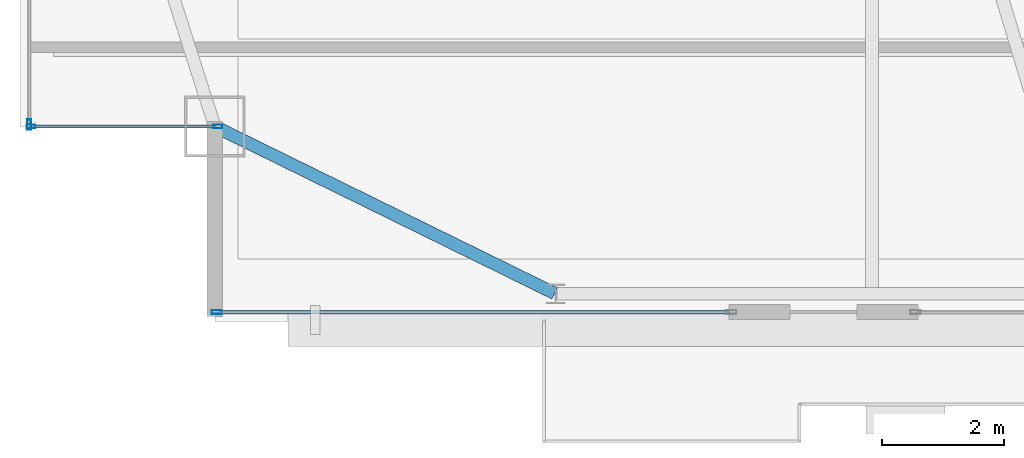
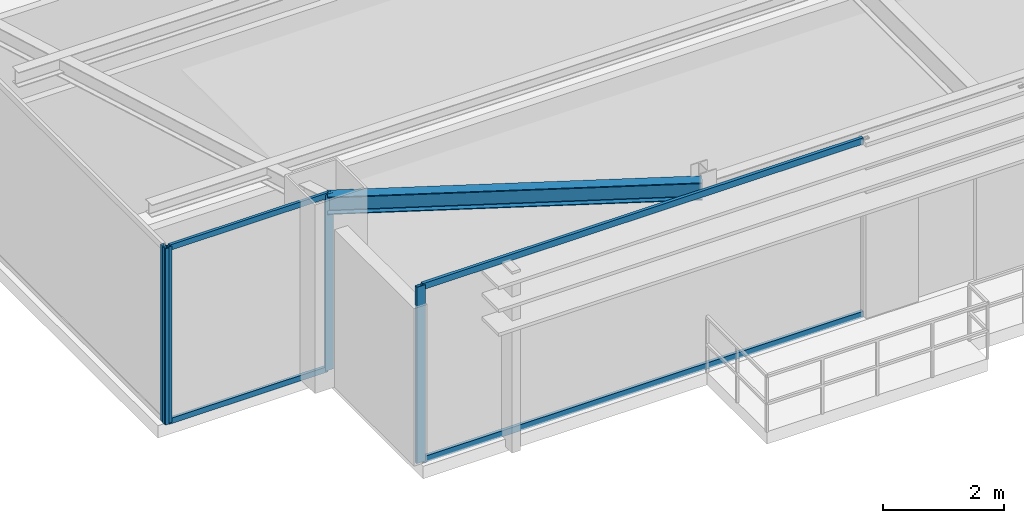
# One storey, part 3 of 25: 8 members, 1 beam, 3 elements without a shape of their own.
"""IFC4 building model written with IfcOpenShell, lengths in metres."""

import ifcopenshell
import ifcopenshell.guid

model = None  # the IFC model being written
_history = None  # IfcOwnerHistory: only IFC2X3 demands one
_inside = {}  # id of a spatial element -> (the spatial element, [elements in it])
_under = {}  # id of a project, library or spatial element -> (it, [spatial elements below it])
_declared = {}  # id of a project -> (the project, [libraries it declares])
_typed = {}  # id of a type object -> (the type object, [elements of that type])
_made_of = {}  # id of a material, layer set ... -> (it, [elements and type objects made of it])


def new_model(schema):
    """Start an empty IFC model of exactly this schema.

    Asked for "IFC4X3", IfcOpenShell would pick the latest addendum, in which some entities
    have other attributes; the version numbers below select the first issue.
    IFC2X3 requires an IfcOwnerHistory on every rooted entity: one is made here for all.
    """
    global model, _history
    if schema == "IFC4X3":
        model = ifcopenshell.file(schema_version=(4, 3, 0, 0))
    else:
        model = ifcopenshell.file(schema=schema)
    _inside.clear()
    _under.clear()
    _declared.clear()
    _typed.clear()
    _made_of.clear()
    _history = None
    if model.schema == "IFC2X3":
        org = make("IfcOrganization", Name="unknown")
        user = make(
            "IfcPersonAndOrganization",
            ThePerson=make("IfcPerson", FamilyName="unknown"),
            TheOrganization=org,
        )
        app = make(
            "IfcApplication",
            ApplicationDeveloper=org,
            Version="unknown",
            ApplicationFullName="unknown",
            ApplicationIdentifier="unknown",
        )
        _history = make(
            "IfcOwnerHistory",
            OwningUser=user,
            OwningApplication=app,
            ChangeAction="ADDED",
            CreationDate=0,
        )
    return model


def make(cls, **values):
    """One entity of the class cls with the attributes given. An attribute that is None is left unset."""
    return model.create_entity(
        cls, **{name: value for name, value in values.items() if value is not None}
    )


def rooted(cls, **values):
    """An entity with a GlobalId (a new one), such as an element, a storey or a relation."""
    return make(cls, GlobalId=ifcopenshell.guid.new(), OwnerHistory=_history, **values)


def si_unit(unit_type, name, prefix=None):
    """IfcSIUnit, for example si_unit("LENGTHUNIT", "METRE", prefix="MILLI")."""
    return make("IfcSIUnit", UnitType=unit_type, Prefix=prefix, Name=name)


def assignment(units):
    """IfcUnitAssignment: the units of a project."""
    return None if units is None else make("IfcUnitAssignment", Units=units)


def point(xyz):
    """IfcCartesianPoint."""
    return None if xyz is None else make("IfcCartesianPoint", Coordinates=xyz)


def direction(xyz):
    """IfcDirection."""
    return None if xyz is None else make("IfcDirection", DirectionRatios=xyz)


def frame(location, z_axis=None, x_axis=None):
    """IfcAxis2Placement3D, a coordinate frame: its origin and axes. An axis left out is left unset."""
    return make(
        "IfcAxis2Placement3D",
        Location=point(location),
        Axis=direction(z_axis),
        RefDirection=direction(x_axis),
    )


def frame_2d(location, x_axis=None):
    """IfcAxis2Placement2D, a coordinate frame in the plane: its origin and x axis."""
    return make(
        "IfcAxis2Placement2D", Location=point(location), RefDirection=direction(x_axis)
    )


def origin():
    """The frame at (0, 0, 0) with its axes left unset."""
    return frame((0.0, 0.0, 0.0))


def origin_2d():
    """The frame at (0, 0) in the plane with its x axis left unset."""
    return frame_2d((0.0, 0.0))


def place(relative_to, where):
    """IfcLocalPlacement: puts the frame where relative to a parent placement (None: the world)."""
    return make(
        "IfcLocalPlacement", PlacementRelTo=relative_to, RelativePlacement=where
    )


def context(
    kind, dimensions, precision=None, world=None, true_north=None, identifier=None
):
    """IfcGeometricRepresentationContext, for example the 3D "Model" context."""
    return make(
        "IfcGeometricRepresentationContext",
        ContextIdentifier=identifier,
        ContextType=kind,
        CoordinateSpaceDimension=dimensions,
        Precision=precision,
        WorldCoordinateSystem=world,
        TrueNorth=true_north,
    )


def subcontext(parent, identifier, kind, view, scale=None):
    """IfcGeometricRepresentationSubContext, for example "Body" below "Model"."""
    return make(
        "IfcGeometricRepresentationSubContext",
        ContextIdentifier=identifier,
        ContextType=kind,
        ParentContext=parent,
        TargetScale=scale,
        TargetView=view,
    )


def project(units=None, contexts=None):
    """IfcProject with its units and contexts."""
    return rooted(
        "IfcProject",
        Name="project",
        RepresentationContexts=contexts,
        UnitsInContext=assignment(units),
    )


def spatial(cls, under=None, at=None, **own):
    """A site, building, storey or space (cls), placed at a placement, below another one or the project."""
    s = rooted(cls, ObjectPlacement=at, **own)
    if under is not None:
        _under.setdefault(under.id(), (under, []))[1].append(s)
    return s


def profile(cls, at=None, kind="AREA", **sizes):
    """A parametric profile (cls). Its sizes go by their IFC names, for example OverallWidth=200.0."""
    return make(cls, ProfileType=kind, Position=at, **sizes)


def hollow_rectangle(**sizes):
    """IfcRectangleHollowProfileDef."""
    return profile("IfcRectangleHollowProfileDef", **sizes)


def i_section(**sizes):
    """IfcIShapeProfileDef."""
    return profile("IfcIShapeProfileDef", **sizes)


def extrude(swept, where, along, depth):
    """IfcExtrudedAreaSolid: the profile swept, set in the frame where, extruded along a direction by depth."""
    return make(
        "IfcExtrudedAreaSolid",
        SweptArea=swept,
        Position=where,
        ExtrudedDirection=direction(along),
        Depth=depth,
    )


def shape(context_of_items, identifier, shape_type, items):
    """IfcShapeRepresentation: the items that make up one representation, for example the "Body"."""
    return make(
        "IfcShapeRepresentation",
        ContextOfItems=context_of_items,
        RepresentationIdentifier=identifier,
        RepresentationType=shape_type,
        Items=items,
    )


def source(mapping_origin, context_of_items, identifier, shape_type, items):
    """IfcRepresentationMap: a shape defined once, which mapped items show again and again."""
    return make(
        "IfcRepresentationMap",
        MappingOrigin=mapping_origin,
        MappedRepresentation=shape(context_of_items, identifier, shape_type, items),
    )


def transform(
    local_origin,
    x_axis=None,
    y_axis=None,
    z_axis=None,
    scale=None,
    scale2=None,
    scale3=None,
    uniform=True,
):
    """IfcCartesianTransformationOperator3D, or its non-uniform kind. x_axis, y_axis, z_axis: its Axis1, 2, 3."""
    if uniform:
        return make(
            "IfcCartesianTransformationOperator3D",
            Axis1=direction(x_axis),
            Axis2=direction(y_axis),
            LocalOrigin=point(local_origin),
            Scale=scale,
            Axis3=direction(z_axis),
        )
    return make(
        "IfcCartesianTransformationOperator3DnonUniform",
        Axis1=direction(x_axis),
        Axis2=direction(y_axis),
        LocalOrigin=point(local_origin),
        Scale=scale,
        Axis3=direction(z_axis),
        Scale2=scale2,
        Scale3=scale3,
    )


def mapped(mapping_source, mapping_target):
    """IfcMappedItem: shows the shape of a source again, moved by a transform."""
    return make(
        "IfcMappedItem", MappingSource=mapping_source, MappingTarget=mapping_target
    )


def material(Name=None, Category=None):
    """IfcMaterial."""
    return make("IfcMaterial", Name=Name, Category=Category)


def layer(
    of_material, thickness, ventilated=None, Name=None, Category=None, Priority=None
):
    """IfcMaterialLayer: one layer of a wall or slab, of a material (None: an air gap)."""
    return make(
        "IfcMaterialLayer",
        Material=of_material,
        LayerThickness=thickness,
        IsVentilated=ventilated,
        Name=Name,
        Category=Category,
        Priority=Priority,
    )


def layer_set(layers, Name=None):
    """IfcMaterialLayerSet."""
    return make("IfcMaterialLayerSet", MaterialLayers=layers, LayerSetName=Name)


def material_profile(
    of_material, cross_section, Name=None, Category=None, Priority=None
):
    """IfcMaterialProfile: a cross section and its material."""
    return make(
        "IfcMaterialProfile",
        Name=Name,
        Material=of_material,
        Profile=cross_section,
        Priority=Priority,
        Category=Category,
    )


def profile_set(profiles, Name=None, composite=None):
    """IfcMaterialProfileSet."""
    return make(
        "IfcMaterialProfileSet",
        Name=Name,
        MaterialProfiles=profiles,
        CompositeProfile=composite,
    )


def made_of(thing, what):
    """Note that an element or type object is made of a material, layer set ...; save() writes the relation."""
    if what is not None:
        _made_of.setdefault(what.id(), (what, []))[1].append(thing)
    return thing


def type_object(cls, material=None, **own):
    """A type object (cls), such as IfcWallType, which elements share."""
    return made_of(rooted(cls, **own), material)


def type_shapes(of_type, sources):
    """Give a type object the sources (RepresentationMaps) that its elements show as mapped items."""
    of_type.RepresentationMaps = sources


def element(
    cls,
    number,
    at=None,
    inside=None,
    cuts=None,
    type_object=None,
    material=None,
    context=None,
    identifier="Body",
    shape_type=None,
    held_by="IfcProductDefinitionShape",
    body=None,
    shapes=None,
    **own,
):
    """One element of the class cls, such as IfcWall. Its Tag is "e" and its number.

    at: its placement. inside: the storey or other place that contains it. cuts: it is an
    opening in that element (IfcRelVoidsElement). A single representation is given by context,
    identifier, shape_type and body (its items); several are given by shapes. held_by: the class
    of the entity that holds the representations. save() writes the other relations.
    """
    e = rooted(cls, Tag="e%d" % number, ObjectPlacement=at, **own)
    if body is not None:
        shapes = [shape(context, identifier, shape_type, body)]
    if shapes is not None:
        e.Representation = make(held_by, Representations=shapes)
    if inside is not None:
        _inside.setdefault(inside.id(), (inside, []))[1].append(e)
    if cuts is not None:
        rooted(
            "IfcRelVoidsElement", RelatingBuildingElement=cuts, RelatedOpeningElement=e
        )
    if type_object is not None:
        _typed.setdefault(type_object.id(), (type_object, []))[1].append(e)
    return made_of(e, material)


def aggregate(whole, parts):
    """IfcRelAggregates: a whole, such as a stair, and the parts it consists of."""
    return rooted("IfcRelAggregates", RelatingObject=whole, RelatedObjects=parts)


def save(model, path):
    """Write the relations noted so far, then the file.

    IfcRelAggregates (storeys below a building ...), IfcRelContainedInSpatialStructure (elements
    in a storey), IfcRelDefinesByType, IfcRelAssociatesMaterial and IfcRelDeclares: one each for
    every whole, place, type object, material and project.
    """
    for whole, parts in _under.values():
        aggregate(whole, parts)
    for where, things in _inside.values():
        rooted(
            "IfcRelContainedInSpatialStructure",
            RelatedElements=things,
            RelatingStructure=where,
        )
    for kind, things in _typed.values():
        rooted("IfcRelDefinesByType", RelatedObjects=things, RelatingType=kind)
    for what, things in _made_of.values():
        rooted("IfcRelAssociatesMaterial", RelatedObjects=things, RelatingMaterial=what)
    for by, libraries in _declared.values():
        rooted("IfcRelDeclares", RelatingContext=by, RelatedDefinitions=libraries)
    model.write(path)


model = new_model("IFC4")

# Units and contexts
model_context = context("Model", 3, precision=1e-05, world=origin(), true_north=direction((0.0, 1.0)))
body_context = subcontext(model_context, "Body", "Model", "MODEL_VIEW")
ifc_project = project(units=[si_unit("LENGTHUNIT", "METRE"), si_unit("AREAUNIT", "SQUARE_METRE"), si_unit("VOLUMEUNIT", "CUBIC_METRE"), si_unit("PLANEANGLEUNIT", "RADIAN"), si_unit("MASSUNIT", "GRAM", prefix="KILO")], contexts=[model_context])

# Site, building, storey
site_placement = place(None, origin())
site = spatial("IfcSite", under=ifc_project, at=site_placement, CompositionType="ELEMENT")
building_placement = place(site_placement, origin())
building = spatial("IfcBuilding", under=site, at=building_placement, Name="Varnel Quay Broadcast Tower", CompositionType="ELEMENT")
storey_placement = place(building_placement, frame((0.0, 0.0, 273.60009765625)))
storey = spatial("IfcBuildingStorey", under=building, at=storey_placement, Name="L68", CompositionType="ELEMENT", Elevation=273.60009765625)

# Beam
ifc_material_1 = material(Name="Structural Steel CSA G40.21 350W", Category="steel")
ifc_material_profile_1 = material_profile(ifc_material_1, i_section(OverallWidth=0.205078125, OverallDepth=0.35400390625, WebThickness=0.009521484375, FlangeThickness=0.016845703125, FilletRadius=0.012939453125, at=origin_2d()), Name="W360X79")
ifc_profile_set_1 = profile_set([ifc_material_profile_1], Name="Structural Steel CSA G40.21 350W")
beam_type = type_object("IfcBeamType", Name="Beam_W360X79", PredefinedType="SPANDREL", material=ifc_profile_set_1)
shared_shape_1 = source(origin(), body_context, "Body", "SweptSolid", [
    extrude(i_section(OverallWidth=0.205078125, OverallDepth=0.35400390625, WebThickness=0.009521484375, FlangeThickness=0.016845703125, FilletRadius=0.012939453125, at=origin_2d()), origin(), (0.0, 0.0, 1.0), 6.19873046875),
])
type_shapes(beam_type, [shared_shape_1])
beam_placement = place(storey_placement, frame((15.218017578125, 16.39111328125, 3.372802734375), z_axis=(0.897602447358, -0.440805905697, 0.0), x_axis=(0.440805905697, 0.897602447358, 0.0)))
element("IfcBeam", 1, at=beam_placement, inside=storey, type_object=beam_type, Name="L68 South Spandrel MC-SW-TC-S1", PredefinedType="SPANDREL", context=body_context, shape_type="MappedRepresentation", body=[
    mapped(shared_shape_1, transform((0.0, 0.0, 0.0), x_axis=(1.0, 0.0, 0.0), y_axis=(0.0, 1.0, 0.0), z_axis=(0.0, 0.0, 1.0), scale=1.0)),
])

# Curtain wall, members
ifc_material_2 = material(Name="Anodised Bronze Aluminium 6063-T6", Category="aluminium")
ifc_layer_1 = layer(ifc_material_2, 0.18994140625, Name="Anodised Bronze Aluminium 6063-T6")
ifc_layer_set_1 = layer_set([ifc_layer_1], Name="Anodised Bronze Aluminium 6063-T6")
curtain_wall_type_1 = type_object("IfcCurtainWallType", Name="CW_NotchCorner", PredefinedType="NOTDEFINED", material=ifc_layer_set_1)
curtain_wall_1_placement = place(storey_placement, origin())
curtain_wall_1 = element("IfcCurtainWall", 2, at=curtain_wall_1_placement, inside=storey, type_object=curtain_wall_type_1, Name="L68 SW Notch Curtain Wall", PredefinedType="NOTDEFINED")
ifc_material_profile_2 = material_profile(ifc_material_2, hollow_rectangle(XDim=0.06005859375, YDim=0.14501953125, WallThickness=0.00341796875, at=origin_2d()), Name="ALU60X145X3.5")
ifc_profile_set_2 = profile_set([ifc_material_profile_2], Name="Anodised Bronze Aluminium 6063-T6")
member_type_1 = type_object("IfcMemberType", Name="Mull_CWS-04", PredefinedType="MULLION", material=ifc_profile_set_2)
shared_shape_2 = source(origin(), body_context, "Body", "SweptSolid", [
    extrude(hollow_rectangle(XDim=0.06005859375, YDim=0.14501953125, WallThickness=0.00341796875, at=origin_2d()), origin(), (0.0, 0.0, 1.0), 3.5498046875),
])
type_shapes(member_type_1, [shared_shape_2])
member_1_placement = place(storey_placement, frame((12.179931640625, 16.39990234375, 0.0), z_axis=(0.0, 0.0, 1.0), x_axis=(0.0, 1.0, 0.0)))
member_1 = element("IfcMember", 3, at=member_1_placement, type_object=member_type_1, Name="CWS-04 mullion 1", PredefinedType="MULLION", context=body_context, shape_type="MappedRepresentation", body=[
    mapped(shared_shape_2, transform((0.0, 0.0, 0.0), x_axis=(1.0, 0.0, 0.0), y_axis=(0.0, 1.0, 0.0), z_axis=(0.0, 0.0, 1.0), scale=1.0)),
])
member_2_placement = place(storey_placement, frame((15.25, 16.39990234375, 0.0), z_axis=(0.0, 0.0, 1.0), x_axis=(0.0, 1.0, 0.0)))
member_2 = element("IfcMember", 4, at=member_2_placement, type_object=member_type_1, Name="CWS-04 mullion 2", PredefinedType="MULLION", context=body_context, shape_type="MappedRepresentation", body=[
    mapped(shared_shape_2, transform((0.0, 0.0, 0.0), x_axis=(1.0, 0.0, 0.0), y_axis=(0.0, 1.0, 0.0), z_axis=(0.0, 0.0, 1.0), scale=1.0)),
])

# Curtain wall, member
ifc_layer_2 = layer(ifc_material_2, 0.18994140625, Name="Anodised Bronze Aluminium 6063-T6")
ifc_layer_set_2 = layer_set([ifc_layer_2], Name="Anodised Bronze Aluminium 6063-T6")
curtain_wall_type_2 = type_object("IfcCurtainWallType", Name="CW_UpperTower", PredefinedType="NOTDEFINED", material=ifc_layer_set_2)
curtain_wall_2_placement = place(storey_placement, origin())
curtain_wall_2 = element("IfcCurtainWall", 5, at=curtain_wall_2_placement, inside=storey, type_object=curtain_wall_type_2, Name="L68 South Unitised Curtain Wall 1", PredefinedType="NOTDEFINED")
ifc_material_profile_3 = material_profile(ifc_material_2, hollow_rectangle(XDim=0.06494140625, YDim=0.1650390625, WallThickness=0.00341796875, at=origin_2d()), Name="ALU65X165X3.5")
ifc_profile_set_3 = profile_set([ifc_material_profile_3], Name="Anodised Bronze Aluminium 6063-T6")
member_type_2 = type_object("IfcMemberType", Name="Mull_CWS-03", PredefinedType="MULLION", material=ifc_profile_set_3)
shared_shape_3 = source(origin(), body_context, "Body", "SweptSolid", [
    extrude(hollow_rectangle(XDim=0.06494140625, YDim=0.1650390625, WallThickness=0.00341796875, at=origin_2d()), origin(), (0.0, 0.0, 1.0), 3.5498046875),
])
type_shapes(member_type_2, [shared_shape_3])
member_3_placement = place(storey_placement, frame((15.232421875, 13.35009765625, 0.0), z_axis=(0.0, 0.0, 1.0), x_axis=(0.0, 1.0, 0.0)))
member_3 = element("IfcMember", 6, at=member_3_placement, type_object=member_type_2, Name="CWS-03 mullion 1", PredefinedType="MULLION", context=body_context, shape_type="MappedRepresentation", body=[
    mapped(shared_shape_3, transform((0.0, 0.0, 0.0), x_axis=(1.0, 0.0, 0.0), y_axis=(0.0, 1.0, 0.0), z_axis=(0.0, 0.0, 1.0), scale=1.0)),
])

curtain_wall_3_placement = place(storey_placement, origin())
curtain_wall_3 = element("IfcCurtainWall", 7, at=curtain_wall_3_placement, inside=storey, type_object=curtain_wall_type_2, Name="L68 West Unitised Curtain Wall", PredefinedType="NOTDEFINED")
member_4_placement = place(storey_placement, frame((12.14990234375, 16.4326171875, 0.0), z_axis=(0.0, 0.0, 1.0), x_axis=(-1.0, 0.0, 0.0)))
member_4 = element("IfcMember", 8, at=member_4_placement, type_object=member_type_2, Name="CWS-03 mullion 1", PredefinedType="MULLION", context=body_context, shape_type="MappedRepresentation", body=[
    mapped(shared_shape_3, transform((0.0, 0.0, 0.0), x_axis=(1.0, 0.0, 0.0), y_axis=(0.0, 1.0, 0.0), z_axis=(0.0, 0.0, 1.0), scale=1.0)),
])
aggregate(curtain_wall_3, [member_4])

# Member
ifc_material_profile_4 = material_profile(ifc_material_2, hollow_rectangle(XDim=0.06005859375, YDim=0.125, WallThickness=0.0029296875, at=origin_2d()), Name="ALU60X125X3")
ifc_profile_set_4 = profile_set([ifc_material_profile_4], Name="Anodised Bronze Aluminium 6063-T6")
member_type_3 = type_object("IfcMemberType", Name="Tran_CWS-03", PredefinedType="USERDEFINED", material=ifc_profile_set_4)
shared_shape_4 = source(origin(), body_context, "Body", "SweptSolid", [
    extrude(hollow_rectangle(XDim=0.06005859375, YDim=0.125, WallThickness=0.0029296875, at=origin_2d()), origin(), (0.0, 0.0, 1.0), 8.39013671875),
])
type_shapes(member_type_3, [shared_shape_4])
member_5_placement = place(storey_placement, frame((15.264892578125, 13.35009765625, 0.02978515625), z_axis=(1.0, 0.0, 0.0), x_axis=(0.0, 1.0, 0.0)))
member_5 = element("IfcMember", 9, at=member_5_placement, type_object=member_type_3, Name="CWS-03 transom 1.1", ObjectType="TRANSOM", PredefinedType="USERDEFINED", context=body_context, shape_type="MappedRepresentation", body=[
    mapped(shared_shape_4, transform((0.0, 0.0, 0.0), x_axis=(1.0, 0.0, 0.0), y_axis=(0.0, 1.0, 0.0), z_axis=(0.0, 0.0, 1.0), scale=1.0)),
])

member_6_placement = place(storey_placement, frame((15.264892578125, 13.35009765625, 3.52001953125), z_axis=(1.0, 0.0, 0.0), x_axis=(0.0, 1.0, 0.0)))
member_6 = element("IfcMember", 10, at=member_6_placement, type_object=member_type_3, Name="CWS-03 transom 1.2", ObjectType="TRANSOM", PredefinedType="USERDEFINED", context=body_context, shape_type="MappedRepresentation", body=[
    mapped(shared_shape_4, transform((0.0, 0.0, 0.0), x_axis=(1.0, 0.0, 0.0), y_axis=(0.0, 1.0, 0.0), z_axis=(0.0, 0.0, 1.0), scale=1.0)),
])

aggregate(curtain_wall_2, [member_3, member_5, member_6])

ifc_material_profile_5 = material_profile(ifc_material_2, hollow_rectangle(XDim=0.054931640625, YDim=0.110107421875, WallThickness=0.0029296875, at=origin_2d()), Name="ALU55X110X3")
ifc_profile_set_5 = profile_set([ifc_material_profile_5], Name="Anodised Bronze Aluminium 6063-T6")
member_type_4 = type_object("IfcMemberType", Name="Tran_CWS-04", PredefinedType="USERDEFINED", material=ifc_profile_set_5)
shared_shape_5 = source(origin(), body_context, "Body", "SweptSolid", [
    extrude(hollow_rectangle(XDim=0.054931640625, YDim=0.110107421875, WallThickness=0.0029296875, at=origin_2d()), origin(), (0.0, 0.0, 1.0), 3.010009765625),
])
type_shapes(member_type_4, [shared_shape_5])
member_7_placement = place(storey_placement, frame((12.2099609375, 16.39990234375, 0.02734375), z_axis=(1.0, 0.0, 0.0), x_axis=(0.0, 1.0, 0.0)))
member_7 = element("IfcMember", 11, at=member_7_placement, type_object=member_type_4, Name="CWS-04 transom 1.1", ObjectType="TRANSOM", PredefinedType="USERDEFINED", context=body_context, shape_type="MappedRepresentation", body=[
    mapped(shared_shape_5, transform((0.0, 0.0, 0.0), x_axis=(1.0, 0.0, 0.0), y_axis=(0.0, 1.0, 0.0), z_axis=(0.0, 0.0, 1.0), scale=1.0)),
])

member_8_placement = place(storey_placement, frame((12.2099609375, 16.39990234375, 3.5224609375), z_axis=(1.0, 0.0, 0.0), x_axis=(0.0, 1.0, 0.0)))
member_8 = element("IfcMember", 12, at=member_8_placement, type_object=member_type_4, Name="CWS-04 transom 1.2", ObjectType="TRANSOM", PredefinedType="USERDEFINED", context=body_context, shape_type="MappedRepresentation", body=[
    mapped(shared_shape_5, transform((0.0, 0.0, 0.0), x_axis=(1.0, 0.0, 0.0), y_axis=(0.0, 1.0, 0.0), z_axis=(0.0, 0.0, 1.0), scale=1.0)),
])

aggregate(curtain_wall_1, [member_1, member_2, member_7, member_8])

save(model, "model.ifc")
